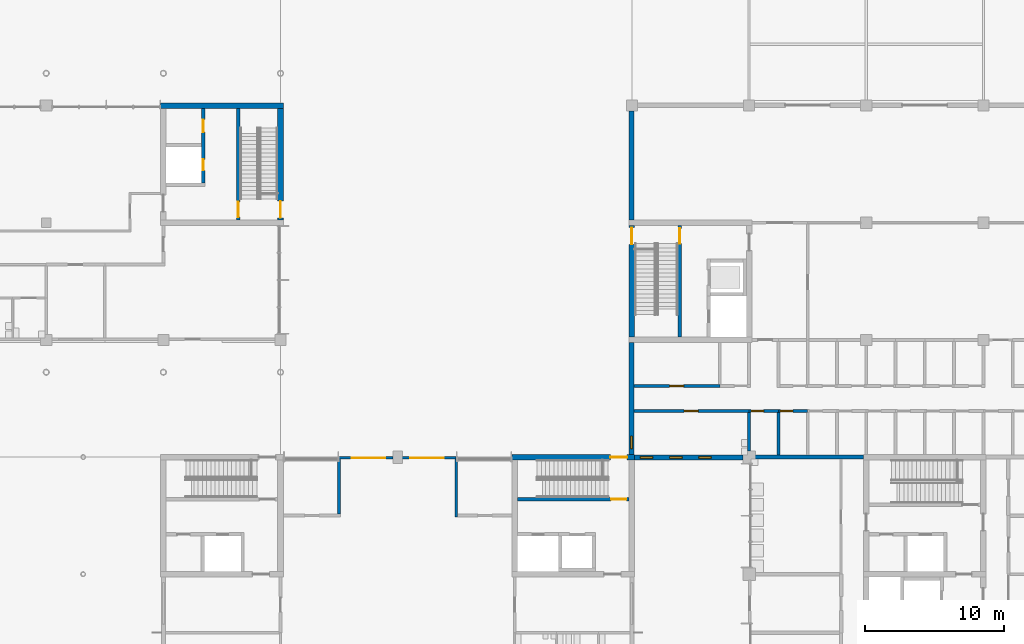
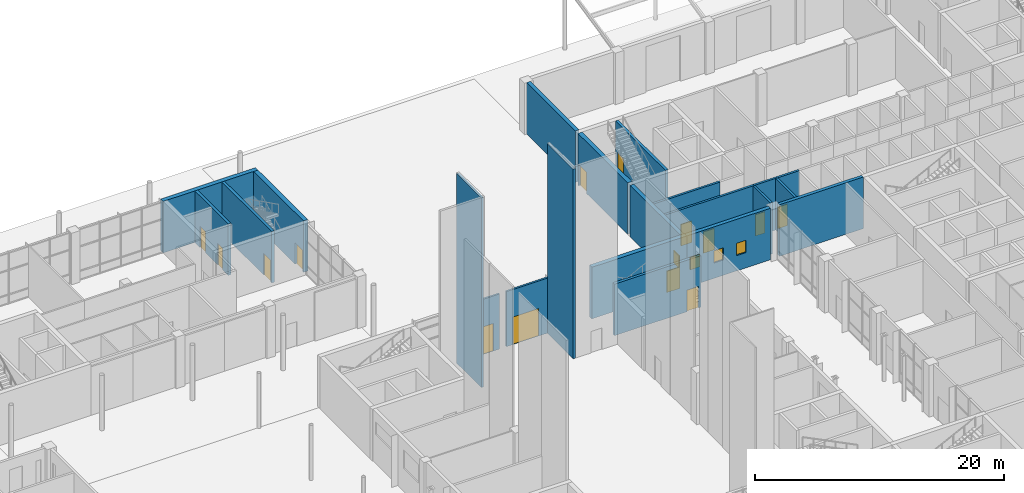
# One storey, part 46 of 76: 22 walls, 14 doors, 4 windows, 18 openings.
"""IFC4 building model written with IfcOpenShell, lengths in metres."""

import ifcopenshell
import ifcopenshell.guid

model = None  # the IFC model being written
_history = None  # IfcOwnerHistory: only IFC2X3 demands one
_inside = {}  # id of a spatial element -> (the spatial element, [elements in it])
_under = {}  # id of a project, library or spatial element -> (it, [spatial elements below it])
_declared = {}  # id of a project -> (the project, [libraries it declares])
_typed = {}  # id of a type object -> (the type object, [elements of that type])
_made_of = {}  # id of a material, layer set ... -> (it, [elements and type objects made of it])


def new_model(schema):
    """Start an empty IFC model of exactly this schema.

    Asked for "IFC4X3", IfcOpenShell would pick the latest addendum, in which some entities
    have other attributes; the version numbers below select the first issue.
    IFC2X3 requires an IfcOwnerHistory on every rooted entity: one is made here for all.
    """
    global model, _history
    if schema == "IFC4X3":
        model = ifcopenshell.file(schema_version=(4, 3, 0, 0))
    else:
        model = ifcopenshell.file(schema=schema)
    _inside.clear()
    _under.clear()
    _declared.clear()
    _typed.clear()
    _made_of.clear()
    _history = None
    if model.schema == "IFC2X3":
        org = make("IfcOrganization", Name="unknown")
        user = make(
            "IfcPersonAndOrganization",
            ThePerson=make("IfcPerson", FamilyName="unknown"),
            TheOrganization=org,
        )
        app = make(
            "IfcApplication",
            ApplicationDeveloper=org,
            Version="unknown",
            ApplicationFullName="unknown",
            ApplicationIdentifier="unknown",
        )
        _history = make(
            "IfcOwnerHistory",
            OwningUser=user,
            OwningApplication=app,
            ChangeAction="ADDED",
            CreationDate=0,
        )
    return model


def make(cls, **values):
    """One entity of the class cls with the attributes given. An attribute that is None is left unset."""
    return model.create_entity(
        cls, **{name: value for name, value in values.items() if value is not None}
    )


def rooted(cls, **values):
    """An entity with a GlobalId (a new one), such as an element, a storey or a relation."""
    return make(cls, GlobalId=ifcopenshell.guid.new(), OwnerHistory=_history, **values)


def si_unit(unit_type, name, prefix=None):
    """IfcSIUnit, for example si_unit("LENGTHUNIT", "METRE", prefix="MILLI")."""
    return make("IfcSIUnit", UnitType=unit_type, Prefix=prefix, Name=name)


def assignment(units):
    """IfcUnitAssignment: the units of a project."""
    return None if units is None else make("IfcUnitAssignment", Units=units)


def point(xyz):
    """IfcCartesianPoint."""
    return None if xyz is None else make("IfcCartesianPoint", Coordinates=xyz)


def direction(xyz):
    """IfcDirection."""
    return None if xyz is None else make("IfcDirection", DirectionRatios=xyz)


def frame(location, z_axis=None, x_axis=None):
    """IfcAxis2Placement3D, a coordinate frame: its origin and axes. An axis left out is left unset."""
    return make(
        "IfcAxis2Placement3D",
        Location=point(location),
        Axis=direction(z_axis),
        RefDirection=direction(x_axis),
    )


def frame_2d(location, x_axis=None):
    """IfcAxis2Placement2D, a coordinate frame in the plane: its origin and x axis."""
    return make(
        "IfcAxis2Placement2D", Location=point(location), RefDirection=direction(x_axis)
    )


def origin():
    """The frame at (0, 0, 0) with its axes left unset."""
    return frame((0.0, 0.0, 0.0))


def place(relative_to, where):
    """IfcLocalPlacement: puts the frame where relative to a parent placement (None: the world)."""
    return make(
        "IfcLocalPlacement", PlacementRelTo=relative_to, RelativePlacement=where
    )


def context(
    kind, dimensions, precision=None, world=None, true_north=None, identifier=None
):
    """IfcGeometricRepresentationContext, for example the 3D "Model" context."""
    return make(
        "IfcGeometricRepresentationContext",
        ContextIdentifier=identifier,
        ContextType=kind,
        CoordinateSpaceDimension=dimensions,
        Precision=precision,
        WorldCoordinateSystem=world,
        TrueNorth=true_north,
    )


def subcontext(parent, identifier, kind, view, scale=None):
    """IfcGeometricRepresentationSubContext, for example "Body" below "Model"."""
    return make(
        "IfcGeometricRepresentationSubContext",
        ContextIdentifier=identifier,
        ContextType=kind,
        ParentContext=parent,
        TargetScale=scale,
        TargetView=view,
    )


def project(units=None, contexts=None):
    """IfcProject with its units and contexts."""
    return rooted(
        "IfcProject",
        Name="project",
        RepresentationContexts=contexts,
        UnitsInContext=assignment(units),
    )


def spatial(cls, under=None, at=None, **own):
    """A site, building, storey or space (cls), placed at a placement, below another one or the project."""
    s = rooted(cls, ObjectPlacement=at, **own)
    if under is not None:
        _under.setdefault(under.id(), (under, []))[1].append(s)
    return s


def profile(cls, at=None, kind="AREA", **sizes):
    """A parametric profile (cls). Its sizes go by their IFC names, for example OverallWidth=200.0."""
    return make(cls, ProfileType=kind, Position=at, **sizes)


def rectangle(**sizes):
    """IfcRectangleProfileDef."""
    return profile("IfcRectangleProfileDef", **sizes)


def extrude(swept, where, along, depth):
    """IfcExtrudedAreaSolid: the profile swept, set in the frame where, extruded along a direction by depth."""
    return make(
        "IfcExtrudedAreaSolid",
        SweptArea=swept,
        Position=where,
        ExtrudedDirection=direction(along),
        Depth=depth,
    )


def shape(context_of_items, identifier, shape_type, items):
    """IfcShapeRepresentation: the items that make up one representation, for example the "Body"."""
    return make(
        "IfcShapeRepresentation",
        ContextOfItems=context_of_items,
        RepresentationIdentifier=identifier,
        RepresentationType=shape_type,
        Items=items,
    )


def material(Name=None, Category=None):
    """IfcMaterial."""
    return make("IfcMaterial", Name=Name, Category=Category)


def layer(
    of_material, thickness, ventilated=None, Name=None, Category=None, Priority=None
):
    """IfcMaterialLayer: one layer of a wall or slab, of a material (None: an air gap)."""
    return make(
        "IfcMaterialLayer",
        Material=of_material,
        LayerThickness=thickness,
        IsVentilated=ventilated,
        Name=Name,
        Category=Category,
        Priority=Priority,
    )


def layer_set(layers, Name=None):
    """IfcMaterialLayerSet."""
    return make("IfcMaterialLayerSet", MaterialLayers=layers, LayerSetName=Name)


def made_of(thing, what):
    """Note that an element or type object is made of a material, layer set ...; save() writes the relation."""
    if what is not None:
        _made_of.setdefault(what.id(), (what, []))[1].append(thing)
    return thing


def type_object(cls, material=None, **own):
    """A type object (cls), such as IfcWallType, which elements share."""
    return made_of(rooted(cls, **own), material)


def element(
    cls,
    number,
    at=None,
    inside=None,
    cuts=None,
    type_object=None,
    material=None,
    context=None,
    identifier="Body",
    shape_type=None,
    held_by="IfcProductDefinitionShape",
    body=None,
    shapes=None,
    **own,
):
    """One element of the class cls, such as IfcWall. Its Tag is "e" and its number.

    at: its placement. inside: the storey or other place that contains it. cuts: it is an
    opening in that element (IfcRelVoidsElement). A single representation is given by context,
    identifier, shape_type and body (its items); several are given by shapes. held_by: the class
    of the entity that holds the representations. save() writes the other relations.
    """
    e = rooted(cls, Tag="e%d" % number, ObjectPlacement=at, **own)
    if body is not None:
        shapes = [shape(context, identifier, shape_type, body)]
    if shapes is not None:
        e.Representation = make(held_by, Representations=shapes)
    if inside is not None:
        _inside.setdefault(inside.id(), (inside, []))[1].append(e)
    if cuts is not None:
        rooted(
            "IfcRelVoidsElement", RelatingBuildingElement=cuts, RelatedOpeningElement=e
        )
    if type_object is not None:
        _typed.setdefault(type_object.id(), (type_object, []))[1].append(e)
    return made_of(e, material)


def fill(opening, filler):
    """IfcRelFillsElement: the door or window that sits in an opening."""
    return rooted(
        "IfcRelFillsElement",
        RelatingOpeningElement=opening,
        RelatedBuildingElement=filler,
    )


def aggregate(whole, parts):
    """IfcRelAggregates: a whole, such as a stair, and the parts it consists of."""
    return rooted("IfcRelAggregates", RelatingObject=whole, RelatedObjects=parts)


def save(model, path):
    """Write the relations noted so far, then the file.

    IfcRelAggregates (storeys below a building ...), IfcRelContainedInSpatialStructure (elements
    in a storey), IfcRelDefinesByType, IfcRelAssociatesMaterial and IfcRelDeclares: one each for
    every whole, place, type object, material and project.
    """
    for whole, parts in _under.values():
        aggregate(whole, parts)
    for where, things in _inside.values():
        rooted(
            "IfcRelContainedInSpatialStructure",
            RelatedElements=things,
            RelatingStructure=where,
        )
    for kind, things in _typed.values():
        rooted("IfcRelDefinesByType", RelatedObjects=things, RelatingType=kind)
    for what, things in _made_of.values():
        rooted("IfcRelAssociatesMaterial", RelatedObjects=things, RelatingMaterial=what)
    for by, libraries in _declared.values():
        rooted("IfcRelDeclares", RelatingContext=by, RelatedDefinitions=libraries)
    model.write(path)


model = new_model("IFC4")

# Units and contexts
model_context = context("Model", 3, precision=1e-05, world=origin(), true_north=direction((0.0, 1.0)))
body_context = subcontext(model_context, "Body", "Model", "MODEL_VIEW")
ifc_project = project(units=[si_unit("LENGTHUNIT", "METRE"), si_unit("AREAUNIT", "SQUARE_METRE"), si_unit("VOLUMEUNIT", "CUBIC_METRE"), si_unit("PLANEANGLEUNIT", "RADIAN"), si_unit("MASSUNIT", "GRAM", prefix="KILO")], contexts=[model_context])

# Site, building, storey
site_placement = place(None, origin())
site = spatial("IfcSite", under=ifc_project, at=site_placement, CompositionType="ELEMENT")
building_placement = place(site_placement, origin())
building = spatial("IfcBuilding", under=site, at=building_placement, Name="Hlaing Beacon Police Headquarters", CompositionType="ELEMENT")
storey_placement = place(building_placement, origin())
storey = spatial("IfcBuildingStorey", under=building, at=storey_placement, Name="L00", CompositionType="ELEMENT", Elevation=0.0)

# Wall
ifc_material_1 = material(Name="Concrete C40/50", Category="concrete")
ifc_layer_1 = layer(ifc_material_1, 0.300048828125)
ifc_layer_set_1 = layer_set([ifc_layer_1], Name="Concrete C40/50")
wall_type_1 = type_object("IfcWallType", Name="Compartment wall 300", PredefinedType="SOLIDWALL", material=ifc_layer_set_1)
wall_1_placement = place(storey_placement, frame((109.0, 67.199951171875, 0.0), z_axis=(0.0, 0.0, 1.0), x_axis=(-1.0, 0.0, 0.0)))
element("IfcWall", 1, at=wall_1_placement, inside=storey, type_object=wall_type_1, Name="Compartment wall L00 N059", PredefinedType="SOLIDWALL", context=body_context, shape_type="SweptSolid", body=[
    extrude(rectangle(XDim=7.77001953125, YDim=0.300048828125, at=frame_2d((3.885009765625, 0.0))), origin(), (0.0, 0.0, 1.0), 5.050048828125),
])

# Wall, opening, door
ifc_material_2 = material(Name="Concrete C60/75", Category="concrete")
ifc_layer_2 = layer(ifc_material_2, 0.39990234375)
ifc_layer_set_2 = layer_set([ifc_layer_2], Name="Concrete C60/75")
wall_type_2 = type_object("IfcWallType", Name="Core shear wall 400", PredefinedType="SHEAR", material=ifc_layer_set_2)
wall_2_placement = place(storey_placement, frame((83.800048828125, 67.199951171875, 0.0), z_axis=(0.0, 0.0, 1.0), x_axis=(1.0, 0.0, 0.0)))
wall_2 = element("IfcWall", 2, at=wall_2_placement, inside=storey, type_object=wall_type_2, Name="Core shear wall", PredefinedType="SHEAR", context=body_context, shape_type="SweptSolid", body=[
    extrude(rectangle(XDim=8.800048828125, YDim=0.39990234375, at=frame_2d((4.39990234375, 0.0))), origin(), (0.0, 0.0, 1.0), 5.050048828125),
])
opening_1_placement = place(wall_2_placement, frame((7.050048828125, 0.0, 0.0)))
opening_1 = element("IfcOpeningElement", 3, at=opening_1_placement, cuts=wall_2, Name="Opening L00-918", PredefinedType="OPENING", context=body_context, shape_type="SweptSolid", body=[
    extrude(rectangle(XDim=1.199951171875, YDim=2.10009765625, at=frame_2d((0.60009765625, 1.050048828125))), frame((0.0, 0.2099609375, 0.0), z_axis=(0.0, -1.0, 0.0), x_axis=(1.0, 0.0, 0.0)), (0.0, 0.0, 1.0), 0.419921875),
])
ifc_material_3 = material(Name="Steel fire door leaf", Category="steel")
ifc_layer_3 = layer(ifc_material_3, 0.070068359375)
ifc_layer_set_3 = layer_set([ifc_layer_3], Name="Steel fire door leaf")
door_type_1 = type_object("IfcDoorType", Name="Steel fire door FD60 1200x2100", OperationType="SINGLE_SWING_LEFT", PredefinedType="DOOR", material=ifc_layer_set_3)
door_1_placement = place(opening_1_placement, origin())
door_1 = element("IfcDoor", 4, at=door_1_placement, inside=storey, type_object=door_type_1, Name="Door Stair ST-D Exit", OperationType="SINGLE_SWING_LEFT", OverallHeight=2.10009765625, OverallWidth=1.199951171875, PredefinedType="DOOR", context=body_context, shape_type="SweptSolid", body=[
    extrude(rectangle(XDim=1.199951171875, YDim=2.10009765625, at=frame_2d((0.60009765625, 1.050048828125))), frame((0.0, 0.03515625, 0.0), z_axis=(0.0, -1.0, 0.0), x_axis=(1.0, 0.0, 0.0)), (0.0, 0.0, 1.0), 0.070068359375),
])
fill(opening_1, door_1)

# Wall
wall_3_placement = place(storey_placement, frame((58.60009765625, 92.39990234375, 0.0), z_axis=(0.0, 0.0, 1.0), x_axis=(1.0, 0.0, 0.0)))
element("IfcWall", 5, at=wall_3_placement, inside=storey, type_object=wall_type_2, Name="Core shear wall", PredefinedType="SHEAR", context=body_context, shape_type="SweptSolid", body=[
    extrude(rectangle(XDim=8.7998046875, YDim=0.39990234375, at=frame_2d((4.39990234375, 0.0))), origin(), (0.0, 0.0, 1.0), 5.050048828125),
])

# Wall, opening, door
wall_4_placement = place(storey_placement, frame((67.199951171875, 84.199951171875, 0.0), z_axis=(0.0, 0.0, 1.0), x_axis=(0.0, 1.0, 0.0)))
wall_4 = element("IfcWall", 6, at=wall_4_placement, inside=storey, type_object=wall_type_2, Name="Core shear wall", PredefinedType="SHEAR", context=body_context, shape_type="SweptSolid", body=[
    extrude(rectangle(XDim=8.0, YDim=0.39990234375, at=frame_2d((4.0, 0.0))), origin(), (0.0, 0.0, 1.0), 5.050048828125),
])
opening_2_placement = place(wall_4_placement, frame((0.14990234375, 0.0, 0.0)))
opening_2 = element("IfcOpeningElement", 7, at=opening_2_placement, cuts=wall_4, Name="Opening L00-927", PredefinedType="OPENING", context=body_context, shape_type="SweptSolid", body=[
    extrude(rectangle(XDim=1.199951171875, YDim=2.10009765625, at=frame_2d((0.60009765625, 1.050048828125))), frame((0.0, 0.2099609375, 0.0), z_axis=(0.0, -1.0, 0.0), x_axis=(1.0, 0.0, 0.0)), (0.0, 0.0, 1.0), 0.419921875),
])
door_2_placement = place(opening_2_placement, frame((1.199951171875, 0.0, 0.0), z_axis=(0.0, 0.0, 1.0), x_axis=(-1.0, 0.0, 0.0)))
door_2 = element("IfcDoor", 8, at=door_2_placement, inside=storey, type_object=door_type_1, Name="Door Stair ST-F Exit", OperationType="SINGLE_SWING_LEFT", OverallHeight=2.10009765625, OverallWidth=1.199951171875, PredefinedType="DOOR", context=body_context, shape_type="SweptSolid", body=[
    extrude(rectangle(XDim=1.199951171875, YDim=2.10009765625, at=frame_2d((0.599853515625, 1.050048828125))), frame((0.0, 0.034912109375, 0.0), z_axis=(0.0, -1.0, 0.0), x_axis=(1.0, 0.0, 0.0)), (0.0, 0.0, 1.0), 0.070068359375),
])
fill(opening_2, door_2)

wall_5_placement = place(storey_placement, frame((92.39990234375, 75.800048828125, 0.0), z_axis=(0.0, 0.0, 1.0), x_axis=(0.0, 1.0, 0.0)))
wall_5 = element("IfcWall", 9, at=wall_5_placement, inside=storey, type_object=wall_type_2, Name="Core shear wall", PredefinedType="SHEAR", context=body_context, shape_type="SweptSolid", body=[
    extrude(rectangle(XDim=8.0, YDim=0.39990234375, at=frame_2d((4.0, 0.0))), origin(), (0.0, 0.0, 1.0), 5.050048828125),
])
opening_3_placement = place(wall_5_placement, frame((6.64990234375, 0.0, 0.0)))
opening_3 = element("IfcOpeningElement", 10, at=opening_3_placement, cuts=wall_5, Name="Opening L00-980", PredefinedType="OPENING", context=body_context, shape_type="SweptSolid", body=[
    extrude(rectangle(XDim=1.199951171875, YDim=2.10009765625, at=frame_2d((0.60009765625, 1.050048828125))), frame((0.0, 0.2099609375, 0.0), z_axis=(0.0, -1.0, 0.0), x_axis=(1.0, 0.0, 0.0)), (0.0, 0.0, 1.0), 0.419921875),
])
door_3_placement = place(opening_3_placement, origin())
door_3 = element("IfcDoor", 11, at=door_3_placement, inside=storey, type_object=door_type_1, Name="Door Stair ST-Q Exit", OperationType="SINGLE_SWING_LEFT", OverallHeight=2.10009765625, OverallWidth=1.199951171875, PredefinedType="DOOR", context=body_context, shape_type="SweptSolid", body=[
    extrude(rectangle(XDim=1.199951171875, YDim=2.10009765625, at=frame_2d((0.60009765625, 1.050048828125))), frame((0.0, 0.03515625, 0.0), z_axis=(0.0, -1.0, 0.0), x_axis=(1.0, 0.0, 0.0)), (0.0, 0.0, 1.0), 0.070068359375),
])
fill(opening_3, door_3)

# Walls
ifc_material_4 = material(Name="Concrete blockwork 7.5 N/mm2", Category="masonry")
ifc_layer_4 = layer(ifc_material_4, 0.199951171875)
ifc_layer_set_4 = layer_set([ifc_layer_4], Name="Concrete blockwork 7.5 N/mm2")
wall_type_3 = type_object("IfcWallType", Name="Custody wall EI 60 200", PredefinedType="PARTITIONING", material=ifc_layer_set_4)
wall_6_placement = place(storey_placement, frame((71.39990234375, 63.10009765625, 0.0), z_axis=(0.0, 0.0, 1.0), x_axis=(0.0, 1.0, 0.0)))
element("IfcWall", 12, at=wall_6_placement, inside=storey, type_object=wall_type_3, Name="Custody wall EI 60 200", PredefinedType="PARTITIONING", context=body_context, shape_type="SweptSolid", body=[
    extrude(rectangle(XDim=3.949951171875, YDim=0.199951171875, at=frame_2d((1.97509765625, 0.0))), origin(), (0.0, 0.0, 1.0), 18.591064453125),
])
wall_7_placement = place(storey_placement, frame((79.800048828125, 62.89990234375, 0.0), z_axis=(0.0, 0.0, 1.0), x_axis=(0.0, 1.0, 0.0)))
element("IfcWall", 13, at=wall_7_placement, inside=storey, type_object=wall_type_3, Name="Custody wall EI 60 200", PredefinedType="PARTITIONING", context=body_context, shape_type="SweptSolid", body=[
    extrude(rectangle(XDim=4.150146484375, YDim=0.199951171875, at=frame_2d((2.0751953125, 0.0))), origin(), (0.0, 0.0, 1.0), 18.591064453125),
])

# Wall, opening, door
wall_8_placement = place(storey_placement, frame((100.800048828125, 70.5, 0.0), z_axis=(0.0, 0.0, 1.0), x_axis=(1.0, 0.0, 0.0)))
wall_8 = element("IfcWall", 14, at=wall_8_placement, inside=storey, type_object=wall_type_3, Name="Custody wall EI 60 200", PredefinedType="PARTITIONING", context=body_context, shape_type="SweptSolid", body=[
    extrude(rectangle(XDim=2.099853515625, YDim=0.199951171875, at=frame_2d((1.0498046875, 0.0))), origin(), (0.0, 0.0, 1.0), 5.050048828125),
])
opening_4_placement = place(wall_8_placement, frame((0.14990234375, 0.0, 0.0)))
opening_4 = element("IfcOpeningElement", 15, at=opening_4_placement, cuts=wall_8, Name="Opening L00-090", PredefinedType="OPENING", context=body_context, shape_type="SweptSolid", body=[
    extrude(rectangle(XDim=0.89990234375, YDim=2.10009765625, at=frame_2d((0.449951171875, 1.050048828125))), frame((0.0, 0.10986328125, 0.0), z_axis=(0.0, -1.0, 0.0), x_axis=(1.0, 0.0, 0.0)), (0.0, 0.0, 1.0), 0.219970703125),
])
ifc_material_5 = material(Name="Steel security door leaf", Category="steel")
ifc_layer_5 = layer(ifc_material_5, 0.080078125)
ifc_layer_set_5 = layer_set([ifc_layer_5], Name="Steel security door leaf")
door_type_2 = type_object("IfcDoorType", Name="Steel cell door FD30 900x2100", OperationType="SINGLE_SWING_LEFT", PredefinedType="DOOR", material=ifc_layer_set_5)
door_4_placement = place(opening_4_placement, origin())
door_4 = element("IfcDoor", 16, at=door_4_placement, inside=storey, type_object=door_type_2, Name="Door Cell 01", OperationType="SINGLE_SWING_RIGHT", OverallHeight=2.10009765625, OverallWidth=0.89990234375, PredefinedType="DOOR", context=body_context, shape_type="SweptSolid", body=[
    extrude(rectangle(XDim=0.89990234375, YDim=2.10009765625, at=frame_2d((0.449951171875, 1.050048828125))), frame((0.0, 0.0400390625, 0.0), z_axis=(0.0, -1.0, 0.0), x_axis=(1.0, 0.0, 0.0)), (0.0, 0.0, 1.0), 0.080078125),
])
fill(opening_4, door_4)

wall_9_placement = place(storey_placement, frame((102.89990234375, 70.5, 0.0), z_axis=(0.0, 0.0, 1.0), x_axis=(1.0, 0.0, 0.0)))
wall_9 = element("IfcWall", 17, at=wall_9_placement, inside=storey, type_object=wall_type_3, Name="Custody wall EI 60 200", PredefinedType="PARTITIONING", context=body_context, shape_type="SweptSolid", body=[
    extrude(rectangle(XDim=2.10009765625, YDim=0.199951171875, at=frame_2d((1.050048828125, 0.0))), origin(), (0.0, 0.0, 1.0), 5.050048828125),
])
opening_5_placement = place(wall_9_placement, frame((0.14990234375, 0.0, 0.0)))
opening_5 = element("IfcOpeningElement", 18, at=opening_5_placement, cuts=wall_9, Name="Opening L00-091", PredefinedType="OPENING", context=body_context, shape_type="SweptSolid", body=[
    extrude(rectangle(XDim=0.89990234375, YDim=2.10009765625, at=frame_2d((0.449951171875, 1.050048828125))), frame((0.0, 0.10986328125, 0.0), z_axis=(0.0, -1.0, 0.0), x_axis=(1.0, 0.0, 0.0)), (0.0, 0.0, 1.0), 0.219970703125),
])
door_5_placement = place(opening_5_placement, frame((0.89990234375, 0.0, 0.0), z_axis=(0.0, 0.0, 1.0), x_axis=(-1.0, 0.0, 0.0)))
door_5 = element("IfcDoor", 19, at=door_5_placement, inside=storey, type_object=door_type_2, Name="Door Cell 02", OperationType="SINGLE_SWING_LEFT", OverallHeight=2.10009765625, OverallWidth=0.89990234375, PredefinedType="DOOR", context=body_context, shape_type="SweptSolid", body=[
    extrude(rectangle(XDim=0.89990234375, YDim=2.10009765625, at=frame_2d((0.449951171875, 1.050048828125))), frame((0.0, 0.0400390625, 0.0), z_axis=(0.0, -1.0, 0.0), x_axis=(1.0, 0.0, 0.0)), (0.0, 0.0, 1.0), 0.080078125),
])
fill(opening_5, door_5)

wall_10_placement = place(storey_placement, frame((92.550048828125, 70.5, 0.0), z_axis=(0.0, 0.0, 1.0), x_axis=(1.0, 0.0, 0.0)))
wall_10 = element("IfcWall", 20, at=wall_10_placement, inside=storey, type_object=wall_type_3, Name="Custody wall EI 60 200", PredefinedType="PARTITIONING", context=body_context, shape_type="SweptSolid", body=[
    extrude(rectangle(XDim=8.25, YDim=0.199951171875, at=frame_2d((4.125, 0.0))), origin(), (0.0, 0.0, 1.0), 5.050048828125),
])
opening_6_placement = place(wall_10_placement, frame((3.60009765625, 0.0, 0.0)))
opening_6 = element("IfcOpeningElement", 21, at=opening_6_placement, cuts=wall_10, Name="Opening L00-108", PredefinedType="OPENING", context=body_context, shape_type="SweptSolid", body=[
    extrude(rectangle(XDim=1.0, YDim=2.10009765625, at=frame_2d((0.5, 1.050048828125))), frame((0.0, 0.10986328125, 0.0), z_axis=(0.0, -1.0, 0.0), x_axis=(1.0, 0.0, 0.0)), (0.0, 0.0, 1.0), 0.219970703125),
])
ifc_material_6 = material(Name="Steel security door leaf", Category="steel")
ifc_layer_6 = layer(ifc_material_6, 0.090087890625)
ifc_layer_set_6 = layer_set([ifc_layer_6], Name="Steel security door leaf")
door_type_3 = type_object("IfcDoorType", Name="Steel security door FD60 1000x2100", OperationType="SINGLE_SWING_LEFT", PredefinedType="DOOR", material=ifc_layer_set_6)
door_6_placement = place(opening_6_placement, frame((1.0, 0.0, 0.0), z_axis=(0.0, 0.0, 1.0), x_axis=(-1.0, 0.0, 0.0)))
door_6 = element("IfcDoor", 22, at=door_6_placement, inside=storey, type_object=door_type_3, Name="Door Detainee Property Locker Room", OperationType="SINGLE_SWING_RIGHT", OverallHeight=2.10009765625, OverallWidth=1.0, PredefinedType="DOOR", context=body_context, shape_type="SweptSolid", body=[
    extrude(rectangle(XDim=1.0, YDim=2.10009765625, at=frame_2d((0.5, 1.050048828125))), frame((0.0, 0.045166015625, 0.0), z_axis=(0.0, -1.0, 0.0), x_axis=(1.0, 0.0, 0.0)), (0.0, 0.0, 1.0), 0.090087890625),
])
fill(opening_6, door_6)

wall_11_placement = place(storey_placement, frame((92.550048828125, 72.300048828125, 0.0), z_axis=(0.0, 0.0, 1.0), x_axis=(1.0, 0.0, 0.0)))
wall_11 = element("IfcWall", 23, at=wall_11_placement, inside=storey, type_object=wall_type_3, Name="Custody wall EI 60 200", PredefinedType="PARTITIONING", context=body_context, shape_type="SweptSolid", body=[
    extrude(rectangle(XDim=6.14990234375, YDim=0.199951171875, at=frame_2d((3.074951171875, 0.0))), origin(), (0.0, 0.0, 1.0), 5.050048828125),
])
opening_7_placement = place(wall_11_placement, frame((2.550048828125, 0.0, 0.0)))
opening_7 = element("IfcOpeningElement", 24, at=opening_7_placement, cuts=wall_11, Name="Opening L00-110", PredefinedType="OPENING", context=body_context, shape_type="SweptSolid", body=[
    extrude(rectangle(XDim=1.0, YDim=2.10009765625, at=frame_2d((0.5, 1.050048828125))), frame((0.0, 0.10986328125, 0.0), z_axis=(0.0, -1.0, 0.0), x_axis=(1.0, 0.0, 0.0)), (0.0, 0.0, 1.0), 0.219970703125),
])
door_7_placement = place(opening_7_placement, origin())
door_7 = element("IfcDoor", 25, at=door_7_placement, inside=storey, type_object=door_type_3, Name="Door Detainee Search Room", OperationType="SINGLE_SWING_LEFT", OverallHeight=2.10009765625, OverallWidth=1.0, PredefinedType="DOOR", context=body_context, shape_type="SweptSolid", body=[
    extrude(rectangle(XDim=1.0, YDim=2.10009765625, at=frame_2d((0.5, 1.050048828125))), frame((0.0, 0.044921875, 0.0), z_axis=(0.0, -1.0, 0.0), x_axis=(1.0, 0.0, 0.0)), (0.0, 0.0, 1.0), 0.090087890625),
])
fill(opening_7, door_7)

# Walls
wall_12_placement = place(storey_placement, frame((102.89990234375, 67.35009765625, 0.0), z_axis=(0.0, 0.0, 1.0), x_axis=(0.0, 1.0, 0.0)))
element("IfcWall", 26, at=wall_12_placement, inside=storey, type_object=wall_type_3, Name="Custody wall EI 60 200", PredefinedType="PARTITIONING", context=body_context, shape_type="SweptSolid", body=[
    extrude(rectangle(XDim=3.0498046875, YDim=0.199951171875, at=frame_2d((1.52490234375, 0.0))), origin(), (0.0, 0.0, 1.0), 5.050048828125),
])
wall_13_placement = place(storey_placement, frame((100.800048828125, 67.64990234375, 0.0), z_axis=(0.0, 0.0, 1.0), x_axis=(0.0, 1.0, 0.0)))
element("IfcWall", 27, at=wall_13_placement, inside=storey, type_object=wall_type_3, Name="Custody wall EI 60 200", PredefinedType="PARTITIONING", context=body_context, shape_type="SweptSolid", body=[
    extrude(rectangle(XDim=2.75, YDim=0.199951171875, at=frame_2d((1.375, 0.0))), origin(), (0.0, 0.0, 1.0), 5.050048828125),
])

# Wall, opening, door
ifc_material_7 = material(Name="Insulated aluminium panel infill", Category="aluminium")
ifc_layer_7 = layer(ifc_material_7, 0.175048828125)
ifc_layer_set_7 = layer_set([ifc_layer_7], Name="Insulated aluminium panel infill")
wall_type_4 = type_object("IfcWallType", Name="Insulated panel infill wall 175", PredefinedType="SOLIDWALL", material=ifc_layer_set_7)
wall_14_placement = place(storey_placement, frame((79.800048828125, 67.137451171875, 0.0), z_axis=(0.0, 0.0, 1.0), x_axis=(-1.0, 0.0, 0.0)))
wall_14 = element("IfcWall", 28, at=wall_14_placement, inside=storey, type_object=wall_type_4, Name="External wall L00 N043", PredefinedType="SOLIDWALL", context=body_context, shape_type="SweptSolid", body=[
    extrude(rectangle(XDim=3.8701171875, YDim=0.175048828125, at=frame_2d((1.93505859375, 0.0))), origin(), (0.0, 0.0, 1.0), 5.39990234375),
])
opening_8_placement = place(wall_14_placement, frame((0.89990234375, 0.0, 0.0)))
opening_8 = element("IfcOpeningElement", 29, at=opening_8_placement, cuts=wall_14, Name="Opening L00-817", PredefinedType="OPENING", context=body_context, shape_type="SweptSolid", body=[
    extrude(rectangle(XDim=2.39990234375, YDim=2.699951171875, at=frame_2d((1.199951171875, 1.35009765625))), frame((0.0, 0.09765625, 0.0), z_axis=(0.0, -1.0, 0.0), x_axis=(1.0, 0.0, 0.0)), (0.0, 0.0, 1.0), 0.195068359375),
])
ifc_material_8 = material(Name="Steel door", Category="steel")
door_type_4 = type_object("IfcDoorType", Name="Door 2400x2700", OperationType="SINGLE_SWING_LEFT", PredefinedType="DOOR", material=ifc_material_8)
door_8_placement = place(opening_8_placement, frame((2.39990234375, 0.0, 0.0), z_axis=(0.0, 0.0, 1.0), x_axis=(-1.0, 0.0, 0.0)))
door_8 = element("IfcDoor", 30, at=door_8_placement, inside=storey, type_object=door_type_4, Name="Door Public Entrance Hall", OperationType="SINGLE_SWING_RIGHT", OverallHeight=2.699951171875, OverallWidth=2.39990234375, PredefinedType="DOOR", context=body_context, shape_type="SweptSolid", body=[
    extrude(rectangle(XDim=2.39990234375, YDim=2.699951171875, at=frame_2d((1.199951171875, 1.35009765625))), frame((0.0, 0.025146484375, 0.0), z_axis=(0.0, -1.0, 0.0), x_axis=(1.0, 0.0, 0.0)), (0.0, 0.0, 1.0), 0.050048828125),
])
fill(opening_8, door_8)

wall_15_placement = place(storey_placement, frame((75.27001953125, 67.137451171875, 0.0), z_axis=(0.0, 0.0, 1.0), x_axis=(-1.0, 0.0, 0.0)))
wall_15 = element("IfcWall", 31, at=wall_15_placement, inside=storey, type_object=wall_type_4, Name="External wall L00 N044", PredefinedType="SOLIDWALL", context=body_context, shape_type="SweptSolid", body=[
    extrude(rectangle(XDim=3.8701171875, YDim=0.175048828125, at=frame_2d((1.93505859375, 0.0))), origin(), (0.0, 0.0, 1.0), 5.39990234375),
])
opening_9_placement = place(wall_15_placement, frame((0.570068359375, 0.0, 0.0)))
opening_9 = element("IfcOpeningElement", 32, at=opening_9_placement, cuts=wall_15, Name="Opening L00-818", PredefinedType="OPENING", context=body_context, shape_type="SweptSolid", body=[
    extrude(rectangle(XDim=2.39990234375, YDim=2.699951171875, at=frame_2d((1.199951171875, 1.35009765625))), frame((0.0, 0.09765625, 0.0), z_axis=(0.0, -1.0, 0.0), x_axis=(1.0, 0.0, 0.0)), (0.0, 0.0, 1.0), 0.195068359375),
])
door_9_placement = place(opening_9_placement, frame((2.39990234375, 0.0, 0.0), z_axis=(0.0, 0.0, 1.0), x_axis=(-1.0, 0.0, 0.0)))
door_9 = element("IfcDoor", 33, at=door_9_placement, inside=storey, type_object=door_type_4, Name="Door Public Entrance Hall", OperationType="SINGLE_SWING_LEFT", OverallHeight=2.699951171875, OverallWidth=2.39990234375, PredefinedType="DOOR", context=body_context, shape_type="SweptSolid", body=[
    extrude(rectangle(XDim=2.39990234375, YDim=2.699951171875, at=frame_2d((1.199951171875, 1.35009765625))), frame((0.0, 0.025146484375, 0.0), z_axis=(0.0, -1.0, 0.0), x_axis=(1.0, 0.0, 0.0)), (0.0, 0.0, 1.0), 0.050048828125),
])
fill(opening_9, door_9)

# Wall
ifc_material_9 = material(Name="Concrete C40/50 precast with security mesh", Category="concrete")
ifc_layer_8 = layer(ifc_material_9, 0.35009765625)
ifc_layer_set_8 = layer_set([ifc_layer_8], Name="Concrete C40/50 precast with security mesh")
wall_type_5 = type_object("IfcWallType", Name="Precast security wall 350", PredefinedType="SOLIDWALL", material=ifc_layer_set_8)
wall_16_placement = place(storey_placement, frame((92.375, 92.02001953125, 0.0), z_axis=(0.0, 0.0, 1.0), x_axis=(0.0, -1.0, 0.0)))
element("IfcWall", 34, at=wall_16_placement, inside=storey, type_object=wall_type_5, Name="External wall L00 W037", PredefinedType="SOLIDWALL", context=body_context, shape_type="SweptSolid", body=[
    extrude(rectangle(XDim=7.820068359375, YDim=0.35009765625, at=frame_2d((3.91015625, 0.0))), origin(), (0.0, 0.0, 1.0), 5.050048828125),
])

# Wall, opening, window
wall_17_placement = place(storey_placement, frame((92.375, 75.39990234375, 0.0), z_axis=(0.0, 0.0, 1.0), x_axis=(0.0, -1.0, 0.0)))
wall_17 = element("IfcWall", 35, at=wall_17_placement, inside=storey, type_object=wall_type_5, Name="External wall L00 W038", PredefinedType="SOLIDWALL", context=body_context, shape_type="SweptSolid", body=[
    extrude(rectangle(XDim=8.0, YDim=0.35009765625, at=frame_2d((4.0, 0.0))), origin(), (0.0, 0.0, 1.0), 5.050048828125),
])
opening_10_placement = place(wall_17_placement, frame((6.699951171875, 0.0, 1.5)))
opening_10 = element("IfcOpeningElement", 36, at=opening_10_placement, cuts=wall_17, Name="Opening WN9", PredefinedType="OPENING", context=body_context, shape_type="SweptSolid", body=[
    extrude(rectangle(XDim=0.89990234375, YDim=1.199951171875, at=frame_2d((0.449951171875, 0.60009765625))), frame((0.0, 0.18505859375, 0.0), z_axis=(0.0, -1.0, 0.0), x_axis=(1.0, 0.0, 0.0)), (0.0, 0.0, 1.0), 0.3701171875),
])
ifc_material_10 = material(Name="Aluminium frame with solar control glazing", Category="aluminium")
window_type = type_object("IfcWindowType", Name="Service room window 900x1200 frame 100", PartitioningType="SINGLE_PANEL", PredefinedType="WINDOW", material=ifc_material_10)
window_1_placement = place(opening_10_placement, origin())
window_1 = element("IfcWindow", 37, at=window_1_placement, inside=storey, type_object=window_type, Name="Window L00 WK", OverallHeight=1.199951171875, OverallWidth=0.89990234375, PartitioningType="SINGLE_PANEL", PredefinedType="WINDOW", context=body_context, shape_type="SweptSolid", body=[
    extrude(rectangle(XDim=0.89990234375, YDim=1.199951171875, at=frame_2d((0.449951171875, 0.60009765625))), frame((0.0, 0.050048828125, 0.0), z_axis=(0.0, -1.0, 0.0), x_axis=(1.0, 0.0, 0.0)), (0.0, 0.0, 1.0), 0.10009765625),
])
fill(opening_10, window_1)

# Wall, openings, windows
wall_18_placement = place(storey_placement, frame((92.60009765625, 67.175048828125, 0.0), z_axis=(0.0, 0.0, 1.0), x_axis=(1.0, 0.0, 0.0)))
wall_18 = element("IfcWall", 38, at=wall_18_placement, inside=storey, type_object=wall_type_5, Name="External wall L00 S039", PredefinedType="SOLIDWALL", context=body_context, shape_type="SweptSolid", body=[
    extrude(rectangle(XDim=7.77001953125, YDim=0.35009765625, at=frame_2d((3.885009765625, 0.0))), origin(), (0.0, 0.0, 1.0), 5.050048828125),
])
opening_11_placement = place(wall_18_placement, frame((0.39990234375, 0.0, 1.5)))
opening_11 = element("IfcOpeningElement", 39, at=opening_11_placement, cuts=wall_18, Name="Opening WN9", PredefinedType="OPENING", context=body_context, shape_type="SweptSolid", body=[
    extrude(rectangle(XDim=0.89990234375, YDim=1.199951171875, at=frame_2d((0.449951171875, 0.60009765625))), frame((0.0, 0.18505859375, 0.0), z_axis=(0.0, -1.0, 0.0), x_axis=(1.0, 0.0, 0.0)), (0.0, 0.0, 1.0), 0.3701171875),
])
opening_12_placement = place(wall_18_placement, frame((2.5, 0.0, 1.5)))
opening_12 = element("IfcOpeningElement", 40, at=opening_12_placement, cuts=wall_18, Name="Opening WN9", PredefinedType="OPENING", context=body_context, shape_type="SweptSolid", body=[
    extrude(rectangle(XDim=0.89990234375, YDim=1.199951171875, at=frame_2d((0.449951171875, 0.60009765625))), frame((0.0, 0.18505859375, 0.0), z_axis=(0.0, -1.0, 0.0), x_axis=(1.0, 0.0, 0.0)), (0.0, 0.0, 1.0), 0.3701171875),
])
opening_13_placement = place(wall_18_placement, frame((4.60009765625, 0.0, 1.5)))
opening_13 = element("IfcOpeningElement", 41, at=opening_13_placement, cuts=wall_18, Name="Opening WN9", PredefinedType="OPENING", context=body_context, shape_type="SweptSolid", body=[
    extrude(rectangle(XDim=0.89990234375, YDim=1.199951171875, at=frame_2d((0.449951171875, 0.60009765625))), frame((0.0, 0.18505859375, 0.0), z_axis=(0.0, -1.0, 0.0), x_axis=(1.0, 0.0, 0.0)), (0.0, 0.0, 1.0), 0.3701171875),
])
window_2_placement = place(opening_11_placement, origin())
window_2 = element("IfcWindow", 42, at=window_2_placement, inside=storey, type_object=window_type, Name="Window L00 WK", OverallHeight=1.199951171875, OverallWidth=0.89990234375, PartitioningType="SINGLE_PANEL", PredefinedType="WINDOW", context=body_context, shape_type="SweptSolid", body=[
    extrude(rectangle(XDim=0.89990234375, YDim=1.199951171875, at=frame_2d((0.449951171875, 0.60009765625))), frame((0.0, 0.050048828125, 0.0), z_axis=(0.0, -1.0, 0.0), x_axis=(1.0, 0.0, 0.0)), (0.0, 0.0, 1.0), 0.10009765625),
])
fill(opening_11, window_2)
window_3_placement = place(opening_12_placement, origin())
window_3 = element("IfcWindow", 43, at=window_3_placement, inside=storey, type_object=window_type, Name="Window L00 WK", OverallHeight=1.199951171875, OverallWidth=0.89990234375, PartitioningType="SINGLE_PANEL", PredefinedType="WINDOW", context=body_context, shape_type="SweptSolid", body=[
    extrude(rectangle(XDim=0.89990234375, YDim=1.199951171875, at=frame_2d((0.449951171875, 0.60009765625))), frame((0.0, 0.050048828125, 0.0), z_axis=(0.0, -1.0, 0.0), x_axis=(1.0, 0.0, 0.0)), (0.0, 0.0, 1.0), 0.10009765625),
])
fill(opening_12, window_3)
window_4_placement = place(opening_13_placement, origin())
window_4 = element("IfcWindow", 44, at=window_4_placement, inside=storey, type_object=window_type, Name="Window L00 WK", OverallHeight=1.199951171875, OverallWidth=0.89990234375, PartitioningType="SINGLE_PANEL", PredefinedType="WINDOW", context=body_context, shape_type="SweptSolid", body=[
    extrude(rectangle(XDim=0.89990234375, YDim=1.199951171875, at=frame_2d((0.449951171875, 0.60009765625))), frame((0.0, 0.050048828125, 0.0), z_axis=(0.0, -1.0, 0.0), x_axis=(1.0, 0.0, 0.0)), (0.0, 0.0, 1.0), 0.10009765625),
])
fill(opening_13, window_4)

# Wall, opening, door
ifc_material_11 = material(Name="Concrete C40/50", Category="concrete")
ifc_layer_9 = layer(ifc_material_11, 0.25)
ifc_layer_set_9 = layer_set([ifc_layer_9], Name="Concrete C40/50")
wall_type_6 = type_object("IfcWallType", Name="Shaft wall 250", PredefinedType="SOLIDWALL", material=ifc_layer_set_9)
wall_19_placement = place(storey_placement, frame((92.199951171875, 64.175048828125, 0.0), z_axis=(0.0, 0.0, 1.0), x_axis=(-1.0, 0.0, 0.0)))
wall_19 = element("IfcWall", 45, at=wall_19_placement, inside=storey, type_object=wall_type_6, Name="Stair enclosure wall", PredefinedType="SOLIDWALL", context=body_context, shape_type="SweptSolid", body=[
    extrude(rectangle(XDim=8.0, YDim=0.25, at=frame_2d((4.0, 0.0))), origin(), (0.0, 0.0, 1.0), 5.050048828125),
])
opening_14_placement = place(wall_19_placement, frame((0.199951171875, 0.0, 0.0)))
opening_14 = element("IfcOpeningElement", 46, at=opening_14_placement, cuts=wall_19, Name="Opening L00-917", PredefinedType="OPENING", context=body_context, shape_type="SweptSolid", body=[
    extrude(rectangle(XDim=1.10009765625, YDim=2.10009765625, at=frame_2d((0.550048828125, 1.050048828125))), frame((0.0, 0.135009765625, 0.0), z_axis=(0.0, -1.0, 0.0), x_axis=(1.0, 0.0, 0.0)), (0.0, 0.0, 1.0), 0.27001953125),
])
ifc_material_12 = material(Name="Steel fire door leaf", Category="steel")
ifc_layer_10 = layer(ifc_material_12, 0.070068359375)
ifc_layer_set_10 = layer_set([ifc_layer_10], Name="Steel fire door leaf")
door_type_5 = type_object("IfcDoorType", Name="Steel fire door FD60 1100x2100", OperationType="SINGLE_SWING_LEFT", PredefinedType="DOOR", material=ifc_layer_set_10)
door_10_placement = place(opening_14_placement, frame((1.10009765625, 0.0, 0.0), z_axis=(0.0, 0.0, 1.0), x_axis=(-1.0, 0.0, 0.0)))
door_10 = element("IfcDoor", 47, at=door_10_placement, inside=storey, type_object=door_type_5, Name="Door Stair ST-D", OperationType="SINGLE_SWING_LEFT", OverallHeight=2.10009765625, OverallWidth=1.10009765625, PredefinedType="DOOR", context=body_context, shape_type="SweptSolid", body=[
    extrude(rectangle(XDim=1.10009765625, YDim=2.10009765625, at=frame_2d((0.550048828125, 1.050048828125))), frame((0.0, 0.034912109375, 0.0), z_axis=(0.0, -1.0, 0.0), x_axis=(1.0, 0.0, 0.0)), (0.0, 0.0, 1.0), 0.070068359375),
])
fill(opening_14, door_10)

wall_20_placement = place(storey_placement, frame((64.175048828125, 84.199951171875, 0.0), z_axis=(0.0, 0.0, 1.0), x_axis=(0.0, 1.0, 0.0)))
wall_20 = element("IfcWall", 48, at=wall_20_placement, inside=storey, type_object=wall_type_6, Name="Stair enclosure wall", PredefinedType="SOLIDWALL", context=body_context, shape_type="SweptSolid", body=[
    extrude(rectangle(XDim=8.0, YDim=0.25, at=frame_2d((4.0, 0.0))), origin(), (0.0, 0.0, 1.0), 5.050048828125),
])
opening_15_placement = place(wall_20_placement, frame((0.199951171875, 0.0, 0.0)))
opening_15 = element("IfcOpeningElement", 49, at=opening_15_placement, cuts=wall_20, Name="Opening L00-926", PredefinedType="OPENING", context=body_context, shape_type="SweptSolid", body=[
    extrude(rectangle(XDim=1.10009765625, YDim=2.10009765625, at=frame_2d((0.550048828125, 1.050048828125))), frame((0.0, 0.135009765625, 0.0), z_axis=(0.0, -1.0, 0.0), x_axis=(1.0, 0.0, 0.0)), (0.0, 0.0, 1.0), 0.27001953125),
])
door_11_placement = place(opening_15_placement, frame((1.10009765625, 0.0, 0.0), z_axis=(0.0, 0.0, 1.0), x_axis=(-1.0, 0.0, 0.0)))
door_11 = element("IfcDoor", 50, at=door_11_placement, inside=storey, type_object=door_type_5, Name="Door Stair ST-F", OperationType="SINGLE_SWING_LEFT", OverallHeight=2.10009765625, OverallWidth=1.10009765625, PredefinedType="DOOR", context=body_context, shape_type="SweptSolid", body=[
    extrude(rectangle(XDim=1.10009765625, YDim=2.10009765625, at=frame_2d((0.550048828125, 1.050048828125))), frame((0.0, 0.034912109375, 0.0), z_axis=(0.0, -1.0, 0.0), x_axis=(1.0, 0.0, 0.0)), (0.0, 0.0, 1.0), 0.070068359375),
])
fill(opening_15, door_11)

# Wall, openings, doors
wall_21_placement = place(storey_placement, frame((61.675048828125, 86.85009765625, 0.0), z_axis=(0.0, 0.0, 1.0), x_axis=(0.0, 1.0, 0.0)))
wall_21 = element("IfcWall", 51, at=wall_21_placement, inside=storey, type_object=wall_type_6, Name="Lobby wall", PredefinedType="SOLIDWALL", context=body_context, shape_type="SweptSolid", body=[
    extrude(rectangle(XDim=5.349853515625, YDim=0.25, at=frame_2d((2.6748046875, 0.0))), origin(), (0.0, 0.0, 1.0), 5.050048828125),
])
opening_16_placement = place(wall_21_placement, frame((3.64990234375, 0.0, 0.0)))
opening_16 = element("IfcOpeningElement", 52, at=opening_16_placement, cuts=wall_21, Name="Opening L00-923", PredefinedType="OPENING", context=body_context, shape_type="SweptSolid", body=[
    extrude(rectangle(XDim=0.89990234375, YDim=2.10009765625, at=frame_2d((0.449951171875, 1.050048828125))), frame((0.0, 0.135009765625, 0.0), z_axis=(0.0, -1.0, 0.0), x_axis=(1.0, 0.0, 0.0)), (0.0, 0.0, 1.0), 0.27001953125),
])
opening_17_placement = place(wall_21_placement, frame((0.89990234375, 0.0, 0.0)))
opening_17 = element("IfcOpeningElement", 53, at=opening_17_placement, cuts=wall_21, Name="Opening L00-925", PredefinedType="OPENING", context=body_context, shape_type="SweptSolid", body=[
    extrude(rectangle(XDim=0.800048828125, YDim=2.10009765625, at=frame_2d((0.39990234375, 1.050048828125))), frame((0.0, 0.135009765625, 0.0), z_axis=(0.0, -1.0, 0.0), x_axis=(1.0, 0.0, 0.0)), (0.0, 0.0, 1.0), 0.27001953125),
])
ifc_material_13 = material(Name="Steel fire door leaf", Category="steel")
ifc_layer_11 = layer(ifc_material_13, 0.070068359375)
ifc_layer_set_11 = layer_set([ifc_layer_11], Name="Steel fire door leaf")
door_type_6 = type_object("IfcDoorType", Name="Steel fire door FD60 800x2100", OperationType="SINGLE_SWING_LEFT", PredefinedType="DOOR", material=ifc_layer_set_11)
door_12_placement = place(opening_17_placement, origin())
door_12 = element("IfcDoor", 54, at=door_12_placement, inside=storey, type_object=door_type_6, Name="Door Services Riser", OperationType="SINGLE_SWING_RIGHT", OverallHeight=2.10009765625, OverallWidth=0.800048828125, PredefinedType="DOOR", context=body_context, shape_type="SweptSolid", body=[
    extrude(rectangle(XDim=0.800048828125, YDim=2.10009765625, at=frame_2d((0.39990234375, 1.050048828125))), frame((0.0, 0.03515625, 0.0), z_axis=(0.0, -1.0, 0.0), x_axis=(1.0, 0.0, 0.0)), (0.0, 0.0, 1.0), 0.070068359375),
])
fill(opening_17, door_12)
ifc_material_14 = material(Name="Steel fire door leaf", Category="steel")
ifc_layer_12 = layer(ifc_material_14, 0.070068359375)
ifc_layer_set_12 = layer_set([ifc_layer_12], Name="Steel fire door leaf")
door_type_7 = type_object("IfcDoorType", Name="Steel fire door FD60 900x2100", OperationType="SINGLE_SWING_LEFT", PredefinedType="DOOR", material=ifc_layer_set_12)
door_13_placement = place(opening_16_placement, origin())
door_13 = element("IfcDoor", 55, at=door_13_placement, inside=storey, type_object=door_type_7, Name="Door Cleaners' Store", OperationType="SINGLE_SWING_LEFT", OverallHeight=2.10009765625, OverallWidth=0.89990234375, PredefinedType="DOOR", context=body_context, shape_type="SweptSolid", body=[
    extrude(rectangle(XDim=0.89990234375, YDim=2.10009765625, at=frame_2d((0.449951171875, 1.050048828125))), frame((0.0, 0.03515625, 0.0), z_axis=(0.0, -1.0, 0.0), x_axis=(1.0, 0.0, 0.0)), (0.0, 0.0, 1.0), 0.070068359375),
])
fill(opening_16, door_13)

# Wall, opening, door
wall_22_placement = place(storey_placement, frame((95.824951171875, 83.800048828125, 0.0), z_axis=(0.0, 0.0, 1.0), x_axis=(0.0, -1.0, 0.0)))
wall_22 = element("IfcWall", 56, at=wall_22_placement, inside=storey, type_object=wall_type_6, Name="Stair enclosure wall", PredefinedType="SOLIDWALL", context=body_context, shape_type="SweptSolid", body=[
    extrude(rectangle(XDim=8.0, YDim=0.25, at=frame_2d((4.0, 0.0))), origin(), (0.0, 0.0, 1.0), 5.050048828125),
])
opening_18_placement = place(wall_22_placement, frame((0.199951171875, 0.0, 0.0)))
opening_18 = element("IfcOpeningElement", 57, at=opening_18_placement, cuts=wall_22, Name="Opening L00-979", PredefinedType="OPENING", context=body_context, shape_type="SweptSolid", body=[
    extrude(rectangle(XDim=1.10009765625, YDim=2.10009765625, at=frame_2d((0.550048828125, 1.050048828125))), frame((0.0, 0.135009765625, 0.0), z_axis=(0.0, -1.0, 0.0), x_axis=(1.0, 0.0, 0.0)), (0.0, 0.0, 1.0), 0.27001953125),
])
door_14_placement = place(opening_18_placement, frame((1.10009765625, 0.0, 0.0), z_axis=(0.0, 0.0, 1.0), x_axis=(-1.0, 0.0, 0.0)))
door_14 = element("IfcDoor", 58, at=door_14_placement, inside=storey, type_object=door_type_5, Name="Door Stair ST-Q", OperationType="SINGLE_SWING_LEFT", OverallHeight=2.10009765625, OverallWidth=1.10009765625, PredefinedType="DOOR", context=body_context, shape_type="SweptSolid", body=[
    extrude(rectangle(XDim=1.10009765625, YDim=2.10009765625, at=frame_2d((0.550048828125, 1.050048828125))), frame((0.0, 0.034912109375, 0.0), z_axis=(0.0, -1.0, 0.0), x_axis=(1.0, 0.0, 0.0)), (0.0, 0.0, 1.0), 0.070068359375),
])
fill(opening_18, door_14)

save(model, "model.ifc")
